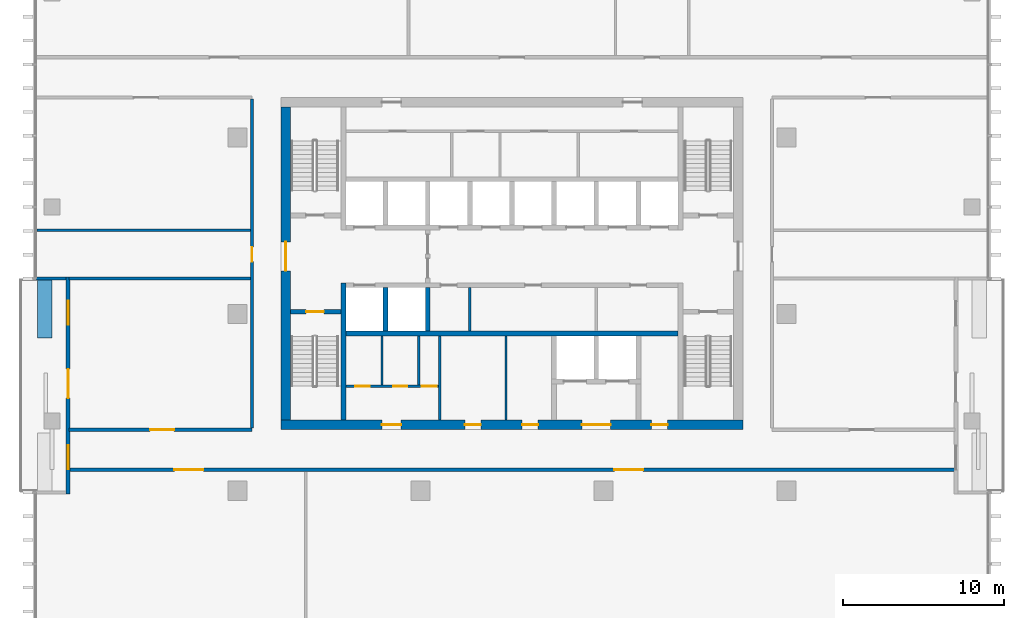
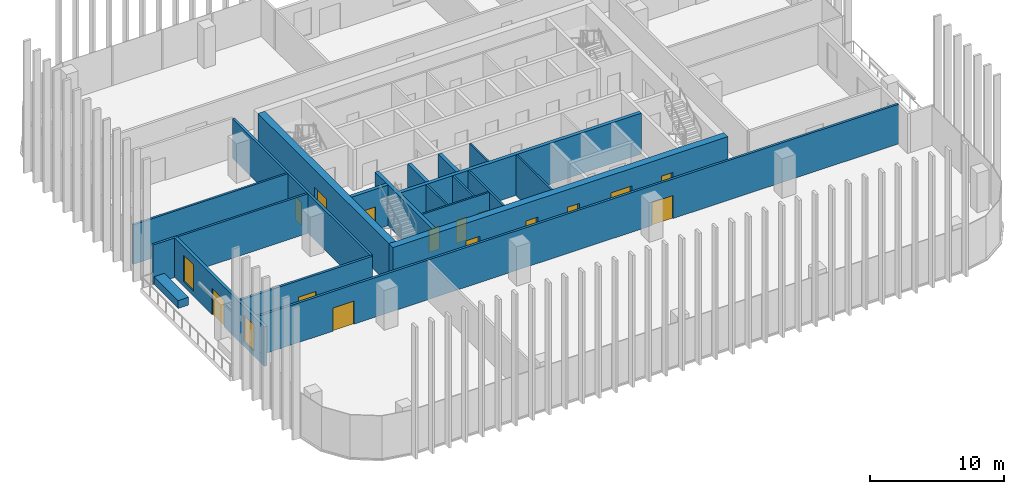
# One storey, part 7 of 16: 21 walls, 15 doors, 2 windows, 17 openings.
"""IFC4 building model written with IfcOpenShell, lengths in metres."""

from ifc_helpers import new_model, si_unit, direction, frame, frame_2d, origin, place, context, subcontext, project, spatial, rectangle, extrude, material, layer, layer_set, type_object, element, fill, save


model = new_model("IFC4")

# Units and contexts
model_context = context("Model", 3, precision=1e-05, world=origin(), true_north=direction((0.0, 1.0)))
body_context = subcontext(model_context, "Body", "Model", "MODEL_VIEW")
ifc_project = project(units=[si_unit("LENGTHUNIT", "METRE"), si_unit("AREAUNIT", "SQUARE_METRE"), si_unit("VOLUMEUNIT", "CUBIC_METRE"), si_unit("PLANEANGLEUNIT", "RADIAN"), si_unit("MASSUNIT", "GRAM", prefix="KILO")], contexts=[model_context])

# Site, building, storey
site_placement = place(None, origin())
site = spatial("IfcSite", under=ifc_project, at=site_placement, CompositionType="ELEMENT")
building_placement = place(site_placement, origin())
building = spatial("IfcBuilding", under=site, at=building_placement, Name="Mopane Tessera Tower", CompositionType="ELEMENT")
storey_placement = place(building_placement, frame((0.0, 0.0, 279.39990234375)))
storey = spatial("IfcBuildingStorey", under=building, at=storey_placement, Name="L60", CompositionType="ELEMENT", Elevation=279.39990234375)

# Wall, openings, doors
ifc_material_1 = material(Name="Fire-rated gypsum board partition")
ifc_layer_1 = layer(ifc_material_1, 0.14990234375)
ifc_layer_set_1 = layer_set([ifc_layer_1], Name="Fire-rated gypsum board partition")
wall_type_1 = type_object("IfcWallType", Name="Core room partition 150 mm", PredefinedType="PARTITIONING", material=ifc_layer_set_1)
wall_1_placement = place(storey_placement, frame((-10.35009765625, -4.5, 0.0), z_axis=(0.0, 0.0, 1.0), x_axis=(1.0, 0.0, 0.0)))
wall_1 = element("IfcWall", 1, at=wall_1_placement, inside=storey, type_object=wall_type_1, Name="L60 WC partition", PredefinedType="PARTITIONING", context=body_context, shape_type="SweptSolid", body=[
    extrude(rectangle(XDim=5.775146484375, YDim=0.14990234375, at=frame_2d((2.8876953125, 0.0))), origin(), (0.0, 0.0, 1.0), 3.7001953125),
])
opening_1_placement = place(wall_1_placement, frame((0.60009765625, 0.0, 0.0)))
opening_1 = element("IfcOpeningElement", 2, at=opening_1_placement, cuts=wall_1, Name="Opening WD1", PredefinedType="OPENING", context=body_context, shape_type="SweptSolid", body=[
    extrude(rectangle(XDim=0.89990234375, YDim=2.10009765625, at=frame_2d((0.449951171875, 1.050048828125))), frame((0.0, 0.0869140625, 0.0), z_axis=(0.0, -1.0, 0.0), x_axis=(1.0, 0.0, 0.0)), (0.0, 0.0, 1.0), 0.173828125),
])
opening_2_placement = place(wall_1_placement, frame((2.93994140625, 0.0, 0.0)))
opening_2 = element("IfcOpeningElement", 3, at=opening_2_placement, cuts=wall_1, Name="Opening WD1", PredefinedType="OPENING", context=body_context, shape_type="SweptSolid", body=[
    extrude(rectangle(XDim=0.89990234375, YDim=2.10009765625, at=frame_2d((0.449951171875, 1.050048828125))), frame((0.0, 0.0869140625, 0.0), z_axis=(0.0, -1.0, 0.0), x_axis=(1.0, 0.0, 0.0)), (0.0, 0.0, 1.0), 0.173828125),
])
opening_3_placement = place(wall_1_placement, frame((4.715087890625, 0.0, 0.0)))
opening_3 = element("IfcOpeningElement", 4, at=opening_3_placement, cuts=wall_1, Name="Opening WD2", PredefinedType="OPENING", context=body_context, shape_type="SweptSolid", body=[
    extrude(rectangle(XDim=0.949951171875, YDim=2.10009765625, at=frame_2d((0.47509765625, 1.050048828125))), frame((0.0, 0.0869140625, 0.0), z_axis=(0.0, -1.0, 0.0), x_axis=(1.0, 0.0, 0.0)), (0.0, 0.0, 1.0), 0.173828125),
])
ifc_material_2 = material(Name="Timber door", Category="wood")
door_type_1 = type_object("IfcDoorType", Name="Accessible WC door 950 x 2100", OperationType="SINGLE_SWING_LEFT", PredefinedType="DOOR", material=ifc_material_2)
door_1_placement = place(opening_3_placement, origin())
door_1 = element("IfcDoor", 5, at=door_1_placement, inside=storey, type_object=door_type_1, Name="L60 Accessible WC door", OperationType="SINGLE_SWING_LEFT", OverallHeight=2.10009765625, OverallWidth=0.949951171875, PredefinedType="DOOR", context=body_context, shape_type="SweptSolid", body=[
    extrude(rectangle(XDim=0.949951171875, YDim=2.10009765625, at=frame_2d((0.47509765625, 1.050048828125))), frame((0.0, 0.02490234375, 0.0), z_axis=(0.0, -1.0, 0.0), x_axis=(1.0, 0.0, 0.0)), (0.0, 0.0, 1.0), 0.050048828125),
])
fill(opening_3, door_1)
ifc_material_3 = material(Name="Timber door", Category="wood")
door_type_2 = type_object("IfcDoorType", Name="WC cubicle door 900 x 2100", OperationType="SINGLE_SWING_LEFT", PredefinedType="DOOR", material=ifc_material_3)
door_2_placement = place(opening_1_placement, origin())
door_2 = element("IfcDoor", 6, at=door_2_placement, inside=storey, type_object=door_type_2, Name="L60 Men's WC door", OperationType="SINGLE_SWING_LEFT", OverallHeight=2.10009765625, OverallWidth=0.89990234375, PredefinedType="DOOR", context=body_context, shape_type="SweptSolid", body=[
    extrude(rectangle(XDim=0.89990234375, YDim=2.10009765625, at=frame_2d((0.449951171875, 1.050048828125))), frame((0.0, 0.02490234375, 0.0), z_axis=(0.0, -1.0, 0.0), x_axis=(1.0, 0.0, 0.0)), (0.0, 0.0, 1.0), 0.050048828125),
])
fill(opening_1, door_2)
door_3_placement = place(opening_2_placement, origin())
door_3 = element("IfcDoor", 7, at=door_3_placement, inside=storey, type_object=door_type_2, Name="L60 Women's WC door", OperationType="SINGLE_SWING_LEFT", OverallHeight=2.10009765625, OverallWidth=0.89990234375, PredefinedType="DOOR", context=body_context, shape_type="SweptSolid", body=[
    extrude(rectangle(XDim=0.89990234375, YDim=2.10009765625, at=frame_2d((0.449951171875, 1.050048828125))), frame((0.0, 0.02490234375, 0.0), z_axis=(0.0, -1.0, 0.0), x_axis=(1.0, 0.0, 0.0)), (0.0, 0.0, 1.0), 0.050048828125),
])
fill(opening_2, door_3)

# Walls
for number, where, z_axis, x_axis, name in (
    (8, (-8.10009765625, -4.425048828125, 0.0), (0.0, 0.0, 1.0), (0.0, 1.0, 0.0), "L60 WC partition"),
    (9, (-5.820068359375, -4.425048828125, 0.0), (0.0, 0.0, 1.0), (0.0, 1.0, 0.0), "L60 WC partition"),
):
    element("IfcWall", number, at=place(storey_placement, frame(where, z_axis=z_axis, x_axis=x_axis)), inside=storey, type_object=wall_type_1, Name=name, PredefinedType="PARTITIONING", context=body_context, shape_type="SweptSolid", body=[
        extrude(rectangle(XDim=3.074951171875, YDim=0.14990234375, at=frame_2d((1.53759765625, 0.0))), origin(), (0.0, 0.0, 1.0), 3.7001953125),
    ])
for number, where, z_axis, x_axis, name in (
    (10, (-4.5, -6.60009765625, 0.0), (0.0, 0.0, 1.0), (0.0, 1.0, 0.0), "L60 Room partition"),
    (11, (-0.375, -6.60009765625, 0.0), (0.0, 0.0, 1.0), (0.0, 1.0, 0.0), "L60 Room partition"),
):
    element("IfcWall", number, at=place(storey_placement, frame(where, z_axis=z_axis, x_axis=x_axis)), inside=storey, type_object=wall_type_1, Name=name, PredefinedType="PARTITIONING", context=body_context, shape_type="SweptSolid", body=[
        extrude(rectangle(XDim=5.25, YDim=0.14990234375, at=frame_2d((2.625, 0.0))), origin(), (0.0, 0.0, 1.0), 3.7001953125),
    ])
wall_2_placement = place(storey_placement, frame((-2.625, -1.050048828125, 0.0), z_axis=(0.0, 0.0, 1.0), x_axis=(0.0, 1.0, 0.0)))
element("IfcWall", 12, at=wall_2_placement, inside=storey, type_object=wall_type_1, Name="L60 Room partition", PredefinedType="PARTITIONING", context=body_context, shape_type="SweptSolid", body=[
    extrude(rectangle(XDim=2.699951171875, YDim=0.14990234375, at=frame_2d((1.35009765625, 0.0))), origin(), (0.0, 0.0, 1.0), 3.7001953125),
])

# Wall, openings, doors
ifc_material_4 = material(Name="Concrete C70/85", Category="concrete")
ifc_layer_2 = layer(ifc_material_4, 0.60009765625)
ifc_layer_set_2 = layer_set([ifc_layer_2], Name="Concrete C70/85")
wall_type_2 = type_object("IfcWallType", Name="Core shear wall 600 mm", PredefinedType="SHEAR", material=ifc_layer_set_2)
wall_3_placement = place(storey_placement, frame((-14.39990234375, -6.89990234375, 0.0), z_axis=(0.0, 0.0, 1.0), x_axis=(1.0, 0.0, 0.0)))
wall_3 = element("IfcWall", 13, at=wall_3_placement, inside=storey, type_object=wall_type_2, Name="L60 Core wall south", PredefinedType="SHEAR", context=body_context, shape_type="SweptSolid", body=[
    extrude(rectangle(XDim=28.7998046875, YDim=0.60009765625, at=frame_2d((14.39990234375, 0.0))), origin(), (0.0, 0.0, 1.0), 3.7001953125),
])
opening_4_placement = place(wall_3_placement, frame((6.300048828125, 0.0, 0.0)))
opening_4 = element("IfcOpeningElement", 14, at=opening_4_placement, cuts=wall_3, Name="Opening WD3", PredefinedType="OPENING", context=body_context, shape_type="SweptSolid", body=[
    extrude(rectangle(XDim=1.199951171875, YDim=2.10009765625, at=frame_2d((0.60009765625, 1.050048828125))), frame((0.0, 0.31201171875, 0.0), z_axis=(0.0, -1.0, 0.0), x_axis=(1.0, 0.0, 0.0)), (0.0, 0.0, 1.0), 0.6240234375),
])
opening_5_placement = place(wall_3_placement, frame((11.46240234375, 0.0, 0.0)))
opening_5 = element("IfcOpeningElement", 15, at=opening_5_placement, cuts=wall_3, Name="Opening RD1", PredefinedType="OPENING", context=body_context, shape_type="SweptSolid", body=[
    extrude(rectangle(XDim=1.0, YDim=2.10009765625, at=frame_2d((0.5, 1.050048828125))), frame((0.0, 0.31201171875, 0.0), z_axis=(0.0, -1.0, 0.0), x_axis=(1.0, 0.0, 0.0)), (0.0, 0.0, 1.0), 0.6240234375),
])
opening_6_placement = place(wall_3_placement, frame((15.02490234375, 0.0, 0.0)))
opening_6 = element("IfcOpeningElement", 16, at=opening_6_placement, cuts=wall_3, Name="Opening RD1", PredefinedType="OPENING", context=body_context, shape_type="SweptSolid", body=[
    extrude(rectangle(XDim=1.0, YDim=2.10009765625, at=frame_2d((0.5, 1.050048828125))), frame((0.0, 0.31201171875, 0.0), z_axis=(0.0, -1.0, 0.0), x_axis=(1.0, 0.0, 0.0)), (0.0, 0.0, 1.0), 0.6240234375),
])
opening_7_placement = place(wall_3_placement, frame((18.75, 0.0, 0.0)))
opening_7 = element("IfcOpeningElement", 17, at=opening_7_placement, cuts=wall_3, Name="Opening SD2", PredefinedType="OPENING", context=body_context, shape_type="SweptSolid", body=[
    extrude(rectangle(XDim=1.800048828125, YDim=2.10009765625, at=frame_2d((0.89990234375, 1.050048828125))), frame((0.0, 0.31201171875, 0.0), z_axis=(0.0, -1.0, 0.0), x_axis=(1.0, 0.0, 0.0)), (0.0, 0.0, 1.0), 0.6240234375),
])
opening_8_placement = place(wall_3_placement, frame((23.08740234375, 0.0, 0.0)))
opening_8 = element("IfcOpeningElement", 18, at=opening_8_placement, cuts=wall_3, Name="Opening RD1", PredefinedType="OPENING", context=body_context, shape_type="SweptSolid", body=[
    extrude(rectangle(XDim=1.0, YDim=2.10009765625, at=frame_2d((0.5, 1.050048828125))), frame((0.0, 0.31201171875, 0.0), z_axis=(0.0, -1.0, 0.0), x_axis=(1.0, 0.0, 0.0)), (0.0, 0.0, 1.0), 0.6240234375),
])
ifc_material_5 = material(Name="Steel fire door", Category="steel")
door_type_3 = type_object("IfcDoorType", Name="Core entrance double door 1800 x 2100", OperationType="DOUBLE_DOOR_SINGLE_SWING", PredefinedType="DOOR", material=ifc_material_5)
door_4_placement = place(opening_7_placement, origin())
door_4 = element("IfcDoor", 19, at=door_4_placement, inside=storey, type_object=door_type_3, Name="L60 Service lobby door", OperationType="DOUBLE_DOOR_SINGLE_SWING", OverallHeight=2.10009765625, OverallWidth=1.800048828125, PredefinedType="DOOR", context=body_context, shape_type="SweptSolid", body=[
    extrude(rectangle(XDim=1.800048828125, YDim=2.10009765625, at=frame_2d((0.89990234375, 1.050048828125))), frame((0.0, 0.02490234375, 0.0), z_axis=(0.0, -1.0, 0.0), x_axis=(1.0, 0.0, 0.0)), (0.0, 0.0, 1.0), 0.050048828125),
])
fill(opening_7, door_4)
ifc_material_6 = material(Name="Timber door", Category="wood")
door_type_4 = type_object("IfcDoorType", Name="Core room door 1000 x 2100", OperationType="SINGLE_SWING_LEFT", PredefinedType="DOOR", material=ifc_material_6)
door_5_placement = place(opening_5_placement, origin())
door_5 = element("IfcDoor", 20, at=door_5_placement, inside=storey, type_object=door_type_4, Name="L60 Room door", OperationType="SINGLE_SWING_LEFT", OverallHeight=2.10009765625, OverallWidth=1.0, PredefinedType="DOOR", context=body_context, shape_type="SweptSolid", body=[
    extrude(rectangle(XDim=1.0, YDim=2.10009765625, at=frame_2d((0.5, 1.050048828125))), frame((0.0, 0.02490234375, 0.0), z_axis=(0.0, -1.0, 0.0), x_axis=(1.0, 0.0, 0.0)), (0.0, 0.0, 1.0), 0.050048828125),
])
fill(opening_5, door_5)
door_6_placement = place(opening_6_placement, origin())
door_6 = element("IfcDoor", 21, at=door_6_placement, inside=storey, type_object=door_type_4, Name="L60 Room door", OperationType="SINGLE_SWING_LEFT", OverallHeight=2.10009765625, OverallWidth=1.0, PredefinedType="DOOR", context=body_context, shape_type="SweptSolid", body=[
    extrude(rectangle(XDim=1.0, YDim=2.10009765625, at=frame_2d((0.5, 1.050048828125))), frame((0.0, 0.02490234375, 0.0), z_axis=(0.0, -1.0, 0.0), x_axis=(1.0, 0.0, 0.0)), (0.0, 0.0, 1.0), 0.050048828125),
])
fill(opening_6, door_6)
door_7_placement = place(opening_8_placement, origin())
door_7 = element("IfcDoor", 22, at=door_7_placement, inside=storey, type_object=door_type_4, Name="L60 Room door", OperationType="SINGLE_SWING_LEFT", OverallHeight=2.10009765625, OverallWidth=1.0, PredefinedType="DOOR", context=body_context, shape_type="SweptSolid", body=[
    extrude(rectangle(XDim=1.0, YDim=2.10009765625, at=frame_2d((0.5, 1.050048828125))), frame((0.0, 0.02490234375, 0.0), z_axis=(0.0, -1.0, 0.0), x_axis=(1.0, 0.0, 0.0)), (0.0, 0.0, 1.0), 0.050048828125),
])
fill(opening_8, door_7)
ifc_material_7 = material(Name="Timber door", Category="wood")
door_type_5 = type_object("IfcDoorType", Name="WC lobby door 1200 x 2100", OperationType="SINGLE_SWING_LEFT", PredefinedType="DOOR", material=ifc_material_7)
door_8_placement = place(opening_4_placement, origin())
door_8 = element("IfcDoor", 23, at=door_8_placement, inside=storey, type_object=door_type_5, Name="L60 WC lobby door", OperationType="SINGLE_SWING_LEFT", OverallHeight=2.10009765625, OverallWidth=1.199951171875, PredefinedType="DOOR", context=body_context, shape_type="SweptSolid", body=[
    extrude(rectangle(XDim=1.199951171875, YDim=2.10009765625, at=frame_2d((0.60009765625, 1.050048828125))), frame((0.0, 0.02490234375, 0.0), z_axis=(0.0, -1.0, 0.0), x_axis=(1.0, 0.0, 0.0)), (0.0, 0.0, 1.0), 0.050048828125),
])
fill(opening_4, door_8)

# Wall, opening, door
wall_4_placement = place(storey_placement, frame((-14.10009765625, -6.60009765625, 0.0), z_axis=(0.0, 0.0, 1.0), x_axis=(0.0, 1.0, 0.0)))
wall_4 = element("IfcWall", 24, at=wall_4_placement, inside=storey, type_object=wall_type_2, Name="L60 Core wall west", PredefinedType="SHEAR", context=body_context, shape_type="SweptSolid", body=[
    extrude(rectangle(XDim=19.5, YDim=0.60009765625, at=frame_2d((9.75, 0.0))), origin(), (0.0, 0.0, 1.0), 3.7001953125),
])
opening_9_placement = place(wall_4_placement, frame((9.300048828125, 0.0, 0.0)))
opening_9 = element("IfcOpeningElement", 25, at=opening_9_placement, cuts=wall_4, Name="Opening SD2", PredefinedType="OPENING", context=body_context, shape_type="SweptSolid", body=[
    extrude(rectangle(XDim=1.800048828125, YDim=2.10009765625, at=frame_2d((0.89990234375, 1.050048828125))), frame((0.0, 0.31201171875, 0.0), z_axis=(0.0, -1.0, 0.0), x_axis=(1.0, 0.0, 0.0)), (0.0, 0.0, 1.0), 0.6240234375),
])
door_9_placement = place(opening_9_placement, origin())
door_9 = element("IfcDoor", 26, at=door_9_placement, inside=storey, type_object=door_type_3, Name="L60 Core entrance door west", OperationType="DOUBLE_DOOR_SINGLE_SWING", OverallHeight=2.10009765625, OverallWidth=1.800048828125, PredefinedType="DOOR", context=body_context, shape_type="SweptSolid", body=[
    extrude(rectangle(XDim=1.800048828125, YDim=2.10009765625, at=frame_2d((0.89990234375, 1.050048828125))), frame((0.0, 0.02490234375, 0.0), z_axis=(0.0, -1.0, 0.0), x_axis=(1.0, 0.0, 0.0)), (0.0, 0.0, 1.0), 0.050048828125),
])
fill(opening_9, door_9)

# Walls
ifc_material_8 = material(Name="Concrete C60/75", Category="concrete")
ifc_layer_3 = layer(ifc_material_8, 0.300048828125)
ifc_layer_set_3 = layer_set([ifc_layer_3], Name="Concrete C60/75")
wall_type_3 = type_object("IfcWallType", Name="Core spine wall 300 mm", PredefinedType="SHEAR", material=ifc_layer_set_3)
wall_5_placement = place(storey_placement, frame((-10.5, -6.60009765625, 0.0), z_axis=(0.0, 0.0, 1.0), x_axis=(0.0, 1.0, 0.0)))
element("IfcWall", 27, at=wall_5_placement, inside=storey, type_object=wall_type_3, Name="L60 Core spine wall", PredefinedType="SHEAR", context=body_context, shape_type="SweptSolid", body=[
    extrude(rectangle(XDim=8.550048828125, YDim=0.300048828125, at=frame_2d((4.27490234375, 0.0))), origin(), (0.0, 0.0, 1.0), 3.7001953125),
])
ifc_material_9 = material(Name="Gypsum board on staggered steel studs, double layer each face, acoustic mineral wool infill", Category="steel")
ifc_layer_4 = layer(ifc_material_9, 0.175048828125)
ifc_layer_set_4 = layer_set([ifc_layer_4], Name="Gypsum board on staggered steel studs, double layer each face, acoustic mineral wool infill")
wall_type_4 = type_object("IfcWallType", Name="Gypsum board acoustic partition 175, rated EI 60", PredefinedType="PARTITIONING", material=ifc_layer_set_4)
wall_6_placement = place(storey_placement, frame((-27.60009765625, 2.219970703125, 0.0), z_axis=(0.0, 0.0, 1.0), x_axis=(1.0, 0.0, 0.0)))
element("IfcWall", 28, at=wall_6_placement, inside=storey, type_object=wall_type_4, Name="Partition L60:003", PredefinedType="PARTITIONING", context=body_context, shape_type="SweptSolid", body=[
    extrude(rectangle(XDim=11.300048828125, YDim=0.175048828125, at=frame_2d((5.64990234375, 0.0))), origin(), (0.0, 0.0, 1.0), 3.60009765625),
])
wall_7_placement = place(storey_placement, frame((-29.60009765625, 5.219970703125, 0.0), z_axis=(0.0, 0.0, 1.0), x_axis=(1.0, 0.0, 0.0)))
element("IfcWall", 29, at=wall_7_placement, inside=storey, type_object=wall_type_4, Name="Partition L60:005", PredefinedType="PARTITIONING", context=body_context, shape_type="SweptSolid", body=[
    extrude(rectangle(XDim=13.300048828125, YDim=0.175048828125, at=frame_2d((6.64990234375, 0.0))), origin(), (0.0, 0.0, 1.0), 3.60009765625),
])

# Wall, openings, doors
ifc_material_10 = material(Name="Gypsum board on steel studs, two layers each face, mineral wool infill", Category="steel")
ifc_layer_5 = layer(ifc_material_10, 0.199951171875)
ifc_layer_set_5 = layer_set([ifc_layer_5], Name="Gypsum board on steel studs, two layers each face, mineral wool infill")
wall_type_5 = type_object("IfcWallType", Name="Gypsum board corridor wall 200, rated EI 60", PredefinedType="PARTITIONING", material=ifc_layer_set_5)
wall_8_placement = place(storey_placement, frame((-27.60009765625, -9.699951171875, 0.0), z_axis=(0.0, 0.0, 1.0), x_axis=(1.0, 0.0, 0.0)))
wall_8 = element("IfcWall", 30, at=wall_8_placement, inside=storey, type_object=wall_type_5, Name="Partition L60:000", PredefinedType="PARTITIONING", context=body_context, shape_type="SweptSolid", body=[
    extrude(rectangle(XDim=55.2001953125, YDim=0.199951171875, at=frame_2d((27.60009765625, 0.0))), origin(), (0.0, 0.0, 1.0), 3.60009765625),
])
opening_10_placement = place(wall_8_placement, frame((6.574951171875, 0.0, 0.0)))
opening_10 = element("IfcOpeningElement", 31, at=opening_10_placement, cuts=wall_8, Name="Opening L60-03", PredefinedType="OPENING", context=body_context, shape_type="SweptSolid", body=[
    extrude(rectangle(XDim=1.800048828125, YDim=2.10009765625, at=frame_2d((0.89990234375, 1.050048828125))), frame((0.0, 0.112060546875, 0.0), z_axis=(0.0, -1.0, 0.0), x_axis=(1.0, 0.0, 0.0)), (0.0, 0.0, 1.0), 0.223876953125),
])
opening_11_placement = place(wall_8_placement, frame((33.97509765625, 0.0, 0.0)))
opening_11 = element("IfcOpeningElement", 32, at=opening_11_placement, cuts=wall_8, Name="Opening L60-08", PredefinedType="OPENING", context=body_context, shape_type="SweptSolid", body=[
    extrude(rectangle(XDim=1.800048828125, YDim=2.10009765625, at=frame_2d((0.89990234375, 1.050048828125))), frame((0.0, 0.112060546875, 0.0), z_axis=(0.0, -1.0, 0.0), x_axis=(1.0, 0.0, 0.0)), (0.0, 0.0, 1.0), 0.223876953125),
])
ifc_material_11 = material(Name="Timber veneered steel-framed fire door", Category="steel")
door_type_6 = type_object("IfcDoorType", Name="Fire door pair FD60 1800 x 2100", OperationType="DOUBLE_DOOR_SINGLE_SWING", PredefinedType="DOOR", material=ifc_material_11)
door_10_placement = place(opening_10_placement, origin())
door_10 = element("IfcDoor", 33, at=door_10_placement, inside=storey, type_object=door_type_6, Name="Door L60-03", ObjectType="D20A", OperationType="DOUBLE_DOOR_SINGLE_SWING", OverallHeight=2.10009765625, OverallWidth=1.800048828125, PredefinedType="DOOR", context=body_context, shape_type="SweptSolid", body=[
    extrude(rectangle(XDim=1.800048828125, YDim=2.10009765625, at=frame_2d((0.89990234375, 1.050048828125))), frame((0.0, 0.02490234375, 0.0), z_axis=(0.0, -1.0, 0.0), x_axis=(1.0, 0.0, 0.0)), (0.0, 0.0, 1.0), 0.050048828125),
])
fill(opening_10, door_10)
door_11_placement = place(opening_11_placement, origin())
door_11 = element("IfcDoor", 34, at=door_11_placement, inside=storey, type_object=door_type_6, Name="Door L60-08", ObjectType="D20A", OperationType="DOUBLE_DOOR_SINGLE_SWING", OverallHeight=2.10009765625, OverallWidth=1.800048828125, PredefinedType="DOOR", context=body_context, shape_type="SweptSolid", body=[
    extrude(rectangle(XDim=1.800048828125, YDim=2.10009765625, at=frame_2d((0.89990234375, 1.050048828125))), frame((0.0, 0.02490234375, 0.0), z_axis=(0.0, -1.0, 0.0), x_axis=(1.0, 0.0, 0.0)), (0.0, 0.0, 1.0), 0.050048828125),
])
fill(opening_11, door_11)

# Wall, opening, door
wall_9_placement = place(storey_placement, frame((-27.60009765625, -7.199951171875, 0.0), z_axis=(0.0, 0.0, 1.0), x_axis=(1.0, 0.0, 0.0)))
wall_9 = element("IfcWall", 35, at=wall_9_placement, inside=storey, type_object=wall_type_5, Name="Partition L60:001", PredefinedType="PARTITIONING", context=body_context, shape_type="SweptSolid", body=[
    extrude(rectangle(XDim=11.400146484375, YDim=0.199951171875, at=frame_2d((5.7001953125, 0.0))), origin(), (0.0, 0.0, 1.0), 3.60009765625),
])
opening_12_placement = place(wall_9_placement, frame((5.050048828125, 0.0, 0.0)))
opening_12 = element("IfcOpeningElement", 36, at=opening_12_placement, cuts=wall_9, Name="Opening L60-10", PredefinedType="OPENING", context=body_context, shape_type="SweptSolid", body=[
    extrude(rectangle(XDim=1.5, YDim=2.10009765625, at=frame_2d((0.75, 1.050048828125))), frame((0.0, 0.112060546875, 0.0), z_axis=(0.0, -1.0, 0.0), x_axis=(1.0, 0.0, 0.0)), (0.0, 0.0, 1.0), 0.223876953125),
])
ifc_material_12 = material(Name="Timber veneered steel-framed fire door", Category="steel")
door_type_7 = type_object("IfcDoorType", Name="Fire door pair FD60 1500 x 2100", OperationType="DOUBLE_DOOR_SINGLE_SWING", PredefinedType="DOOR", material=ifc_material_12)
door_12_placement = place(opening_12_placement, origin())
door_12 = element("IfcDoor", 37, at=door_12_placement, inside=storey, type_object=door_type_7, Name="Door L60-10", ObjectType="D17A", OperationType="DOUBLE_DOOR_SINGLE_SWING", OverallHeight=2.10009765625, OverallWidth=1.5, PredefinedType="DOOR", context=body_context, shape_type="SweptSolid", body=[
    extrude(rectangle(XDim=1.5, YDim=2.10009765625, at=frame_2d((0.75, 1.050048828125))), frame((0.0, 0.02490234375, 0.0), z_axis=(0.0, -1.0, 0.0), x_axis=(1.0, 0.0, 0.0)), (0.0, 0.0, 1.0), 0.050048828125),
])
fill(opening_12, door_12)

wall_10_placement = place(storey_placement, frame((-16.199951171875, -7.10009765625, 0.0), z_axis=(0.0, 0.0, 1.0), x_axis=(0.0, 1.0, 0.0)))
wall_10 = element("IfcWall", 38, at=wall_10_placement, inside=storey, type_object=wall_type_5, Name="Partition L60:010", PredefinedType="PARTITIONING", context=body_context, shape_type="SweptSolid", body=[
    extrude(rectangle(XDim=20.5, YDim=0.199951171875, at=frame_2d((10.25, 0.0))), origin(), (0.0, 0.0, 1.0), 3.60009765625),
])
opening_13_placement = place(wall_10_placement, frame((10.3701171875, 0.0, 0.0)))
opening_13 = element("IfcOpeningElement", 39, at=opening_13_placement, cuts=wall_10, Name="Opening L60-06", PredefinedType="OPENING", context=body_context, shape_type="SweptSolid", body=[
    extrude(rectangle(XDim=0.89990234375, YDim=2.10009765625, at=frame_2d((0.449951171875, 1.050048828125))), frame((0.0, 0.112060546875, 0.0), z_axis=(0.0, -1.0, 0.0), x_axis=(1.0, 0.0, 0.0)), (0.0, 0.0, 1.0), 0.223876953125),
])
ifc_material_13 = material(Name="Timber veneered steel-framed fire door", Category="steel")
door_type_8 = type_object("IfcDoorType", Name="Fire door FD60 900 x 2100", OperationType="SINGLE_SWING_LEFT", PredefinedType="DOOR", material=ifc_material_13)
door_13_placement = place(opening_13_placement, origin())
door_13 = element("IfcDoor", 40, at=door_13_placement, inside=storey, type_object=door_type_8, Name="Door L60-06", ObjectType="D10A", OperationType="SINGLE_SWING_LEFT", OverallHeight=2.10009765625, OverallWidth=0.89990234375, PredefinedType="DOOR", context=body_context, shape_type="SweptSolid", body=[
    extrude(rectangle(XDim=0.89990234375, YDim=2.10009765625, at=frame_2d((0.449951171875, 1.050048828125))), frame((0.0, 0.02490234375, 0.0), z_axis=(0.0, -1.0, 0.0), x_axis=(1.0, 0.0, 0.0)), (0.0, 0.0, 1.0), 0.050048828125),
])
fill(opening_13, door_13)

ifc_material_14 = material(Name="Concrete C50/60", Category="concrete")
ifc_layer_6 = layer(ifc_material_14, 0.300048828125)
ifc_layer_set_6 = layer_set([ifc_layer_6], Name="Concrete C50/60")
wall_type_6 = type_object("IfcWallType", Name="Lift and stair shaft wall 300 mm", PredefinedType="SOLIDWALL", material=ifc_layer_set_6)
wall_11_placement = place(storey_placement, frame((-13.800048828125, 0.14990234375, 0.0), z_axis=(0.0, 0.0, 1.0), x_axis=(1.0, 0.0, 0.0)))
wall_11 = element("IfcWall", 41, at=wall_11_placement, inside=storey, type_object=wall_type_6, Name="L60 Stair enclosure wall", PredefinedType="SOLIDWALL", context=body_context, shape_type="SweptSolid", body=[
    extrude(rectangle(XDim=3.150146484375, YDim=0.300048828125, at=frame_2d((1.5751953125, 0.0))), origin(), (0.0, 0.0, 1.0), 3.7001953125),
])
opening_14_placement = place(wall_11_placement, frame((0.97509765625, 0.0, 0.0)))
opening_14 = element("IfcOpeningElement", 42, at=opening_14_placement, cuts=wall_11, Name="Opening SD1", PredefinedType="OPENING", context=body_context, shape_type="SweptSolid", body=[
    extrude(rectangle(XDim=1.10009765625, YDim=2.10009765625, at=frame_2d((0.550048828125, 1.050048828125))), frame((0.0, 0.162109375, 0.0), z_axis=(0.0, -1.0, 0.0), x_axis=(1.0, 0.0, 0.0)), (0.0, 0.0, 1.0), 0.323974609375),
])
ifc_material_15 = material(Name="Steel fire door", Category="steel")
door_type_9 = type_object("IfcDoorType", Name="Stair fire door 1100 x 2100", OperationType="SINGLE_SWING_LEFT", PredefinedType="DOOR", material=ifc_material_15)
door_14_placement = place(opening_14_placement, origin())
door_14 = element("IfcDoor", 43, at=door_14_placement, inside=storey, type_object=door_type_9, Name="L60 Stair door ST1", OperationType="SINGLE_SWING_LEFT", OverallHeight=2.10009765625, OverallWidth=1.10009765625, PredefinedType="DOOR", context=body_context, shape_type="SweptSolid", body=[
    extrude(rectangle(XDim=1.10009765625, YDim=2.10009765625, at=frame_2d((0.550048828125, 1.050048828125))), frame((0.0, 0.02490234375, 0.0), z_axis=(0.0, -1.0, 0.0), x_axis=(1.0, 0.0, 0.0)), (0.0, 0.0, 1.0), 0.050048828125),
])
fill(opening_14, door_14)

# Walls
wall_12_placement = place(storey_placement, frame((-10.35009765625, -1.199951171875, 0.0), z_axis=(0.0, 0.0, 1.0), x_axis=(1.0, 0.0, 0.0)))
element("IfcWall", 44, at=wall_12_placement, inside=storey, type_object=wall_type_6, Name="L60 Lift shaft rear wall", PredefinedType="SOLIDWALL", context=body_context, shape_type="SweptSolid", body=[
    extrude(rectangle(XDim=20.7001953125, YDim=0.300048828125, at=frame_2d((10.35009765625, 0.0))), origin(), (0.0, 0.0, 1.0), 3.7001953125),
])
for number, where, z_axis, x_axis, name in (
    (45, (-7.875, -1.050048828125, 0.0), (0.0, 0.0, 1.0), (0.0, 1.0, 0.0), "L60 Lift shaft wall"),
    (46, (-5.25, -1.050048828125, 0.0), (0.0, 0.0, 1.0), (0.0, 1.0, 0.0), "L60 Lift shaft wall"),
):
    element("IfcWall", number, at=place(storey_placement, frame(where, z_axis=z_axis, x_axis=x_axis)), inside=storey, type_object=wall_type_6, Name=name, PredefinedType="SOLIDWALL", context=body_context, shape_type="SweptSolid", body=[
        extrude(rectangle(XDim=2.699951171875, YDim=0.300048828125, at=frame_2d((1.35009765625, 0.0))), origin(), (0.0, 0.0, 1.0), 3.7001953125),
    ])
ifc_material_16 = material(Name="Reinforced concrete C32/40 with waterproofing", Category="concrete")
ifc_layer_7 = layer(ifc_material_16, 0.89990234375)
ifc_layer_set_7 = layer_set([ifc_layer_7], Name="Reinforced concrete C32/40 with waterproofing")
wall_type_7 = type_object("IfcWallType", Name="Planter trough 3600 x 900", PredefinedType="STANDARD", material=ifc_layer_set_7)
wall_13_placement = place(storey_placement, frame((-29.10009765625, 2.122314453125, 0.0), z_axis=(0.0, 0.0, 1.0), x_axis=(0.0, -1.0, 0.0)))
element("IfcWall", 47, at=wall_13_placement, inside=storey, type_object=wall_type_7, Name="e:nw:L60:N3:pl0", PredefinedType="STANDARD", context=body_context, shape_type="SweptSolid", body=[
    extrude(rectangle(XDim=3.60009765625, YDim=0.89990234375, at=frame_2d((1.800048828125, 0.0))), origin(), (0.0, 0.0, 1.0), 0.7001953125),
])
ifc_material_17 = material(Name="Blockwork with glazed tile facing", Category="masonry")
ifc_layer_8 = layer(ifc_material_17, 0.199951171875)
ifc_layer_set_8 = layer_set([ifc_layer_8], Name="Blockwork with glazed tile facing")
wall_type_8 = type_object("IfcWallType", Name="Terrace cheek wall 200", PredefinedType="STANDARD", material=ifc_layer_set_8)
wall_14_placement = place(storey_placement, frame((-29.64990234375, 2.22216796875, 0.0), z_axis=(0.0, 0.0, 1.0), x_axis=(1.0, 0.0, 0.0)))
element("IfcWall", 48, at=wall_14_placement, inside=storey, type_object=wall_type_8, Name="e:nw:L60:N3:cheeka", PredefinedType="STANDARD", context=body_context, shape_type="SweptSolid", body=[
    extrude(rectangle(XDim=1.875, YDim=0.199951171875, at=frame_2d((0.9375, 0.0))), origin(), (0.0, 0.0, 1.0), 3.60009765625),
])

# Wall, openings, windows, door
ifc_material_18 = material(Name="Blockwork with turquoise glazed tile facing", Category="masonry")
ifc_layer_9 = layer(ifc_material_18, 0.25)
ifc_layer_set_9 = layer_set([ifc_layer_9], Name="Blockwork with turquoise glazed tile facing")
wall_type_9 = type_object("IfcWallType", Name="Tile-clad external wall 250, turquoise", PredefinedType="STANDARD", material=ifc_layer_set_9)
wall_15_placement = place(storey_placement, frame((-27.64990234375, 2.322265625, 0.0), z_axis=(0.0, 0.0, 1.0), x_axis=(0.0, -1.0, 0.0)))
wall_15 = element("IfcWall", 49, at=wall_15_placement, inside=storey, type_object=wall_type_9, Name="e:nw:L60:N3:back", PredefinedType="STANDARD", context=body_context, shape_type="SweptSolid", body=[
    extrude(rectangle(XDim=13.533447265625, YDim=0.25, at=frame_2d((6.7666015625, 0.0))), origin(), (0.0, 0.0, 1.0), 3.60009765625),
])
opening_15_placement = place(wall_15_placement, frame((1.5, 0.0, 0.449951171875)))
opening_15 = element("IfcOpeningElement", 50, at=opening_15_placement, cuts=wall_15, Name="Opening NW603A", PredefinedType="OPENING", context=body_context, shape_type="SweptSolid", body=[
    extrude(rectangle(XDim=1.5, YDim=2.39990234375, at=frame_2d((0.75, 1.199951171875))), frame((0.0, 0.136962890625, 0.0), z_axis=(0.0, -1.0, 0.0), x_axis=(1.0, 0.0, 0.0)), (0.0, 0.0, 1.0), 0.27392578125),
])
opening_16_placement = place(wall_15_placement, frame((5.75, 0.0, 0.0)))
opening_16 = element("IfcOpeningElement", 51, at=opening_16_placement, cuts=wall_15, Name="Opening ND603", PredefinedType="OPENING", context=body_context, shape_type="SweptSolid", body=[
    extrude(rectangle(XDim=1.800048828125, YDim=2.39990234375, at=frame_2d((0.89990234375, 1.199951171875))), frame((0.0, 0.136962890625, 0.0), z_axis=(0.0, -1.0, 0.0), x_axis=(1.0, 0.0, 0.0)), (0.0, 0.0, 1.0), 0.27392578125),
])
opening_17_placement = place(wall_15_placement, frame((10.5, 0.0, 0.449951171875)))
opening_17 = element("IfcOpeningElement", 52, at=opening_17_placement, cuts=wall_15, Name="Opening NW603B", PredefinedType="OPENING", context=body_context, shape_type="SweptSolid", body=[
    extrude(rectangle(XDim=1.5, YDim=2.39990234375, at=frame_2d((0.75, 1.199951171875))), frame((0.0, 0.136962890625, 0.0), z_axis=(0.0, -1.0, 0.0), x_axis=(1.0, 0.0, 0.0)), (0.0, 0.0, 1.0), 0.27392578125),
])
ifc_material_19 = material(Name="Clear laminated glass", Category="glass")
window_type = type_object("IfcWindowType", Name="Fixed window 1500 x 2400", PartitioningType="SINGLE_PANEL", PredefinedType="WINDOW", material=ifc_material_19)
window_1_placement = place(opening_15_placement, origin())
window_1 = element("IfcWindow", 53, at=window_1_placement, inside=storey, type_object=window_type, Name="e:nw:L60:N3:win0", OverallHeight=2.39990234375, OverallWidth=1.5, PartitioningType="SINGLE_PANEL", PredefinedType="WINDOW", context=body_context, shape_type="SweptSolid", body=[
    extrude(rectangle(XDim=1.5, YDim=2.39990234375, at=frame_2d((0.75, 1.199951171875))), frame((0.0, 0.030029296875, 0.0), z_axis=(0.0, -1.0, 0.0), x_axis=(1.0, 0.0, 0.0)), (0.0, 0.0, 1.0), 0.06005859375),
])
fill(opening_15, window_1)
window_2_placement = place(opening_17_placement, origin())
window_2 = element("IfcWindow", 54, at=window_2_placement, inside=storey, type_object=window_type, Name="e:nw:L60:N3:win2", OverallHeight=2.39990234375, OverallWidth=1.5, PartitioningType="SINGLE_PANEL", PredefinedType="WINDOW", context=body_context, shape_type="SweptSolid", body=[
    extrude(rectangle(XDim=1.5, YDim=2.39990234375, at=frame_2d((0.75, 1.199951171875))), frame((0.0, 0.030029296875, 0.0), z_axis=(0.0, -1.0, 0.0), x_axis=(1.0, 0.0, 0.0)), (0.0, 0.0, 1.0), 0.06005859375),
])
fill(opening_17, window_2)
ifc_material_20 = material(Name="Aluminium and clear glass", Category="aluminium")
door_type_10 = type_object("IfcDoorType", Name="Terrace double door 1800 x 2400", OperationType="DOUBLE_DOOR_SINGLE_SWING", PredefinedType="DOOR", material=ifc_material_20)
door_15_placement = place(opening_16_placement, origin())
door_15 = element("IfcDoor", 55, at=door_15_placement, inside=storey, type_object=door_type_10, Name="e:nw:L60:N3:door", ObjectType="D1", OperationType="DOUBLE_DOOR_SINGLE_SWING", OverallHeight=2.39990234375, OverallWidth=1.800048828125, PredefinedType="DOOR", context=body_context, shape_type="SweptSolid", body=[
    extrude(rectangle(XDim=1.800048828125, YDim=2.39990234375, at=frame_2d((0.89990234375, 1.199951171875))), frame((0.0, 0.02490234375, 0.0), z_axis=(0.0, -1.0, 0.0), x_axis=(1.0, 0.0, 0.0)), (0.0, 0.0, 1.0), 0.050048828125),
])
fill(opening_16, door_15)

save(model, "model.ifc")
